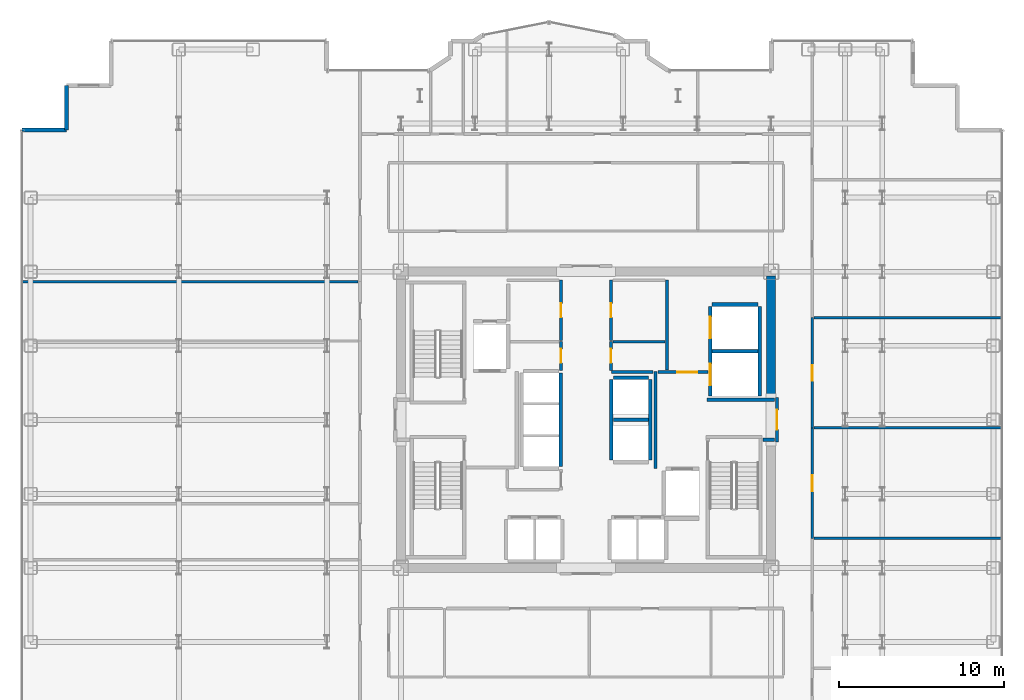
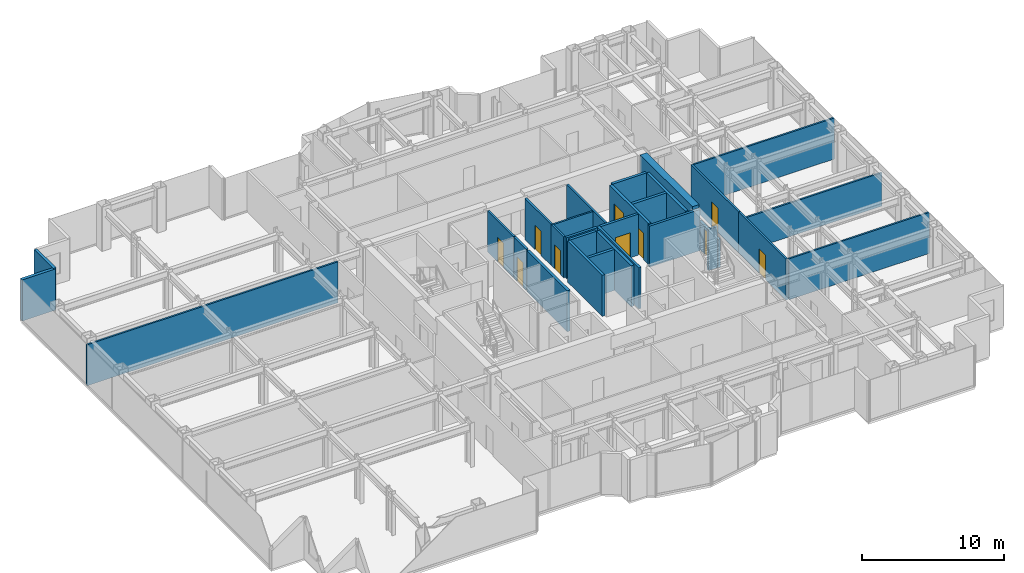
# One storey, part 20 of 23: 30 walls, 10 doors, 10 openings.
"""IFC4 building model written with IfcOpenShell, lengths in metres."""

import ifcopenshell
import ifcopenshell.guid

model = None  # the IFC model being written
_history = None  # IfcOwnerHistory: only IFC2X3 demands one
_inside = {}  # id of a spatial element -> (the spatial element, [elements in it])
_under = {}  # id of a project, library or spatial element -> (it, [spatial elements below it])
_declared = {}  # id of a project -> (the project, [libraries it declares])
_typed = {}  # id of a type object -> (the type object, [elements of that type])
_made_of = {}  # id of a material, layer set ... -> (it, [elements and type objects made of it])


def new_model(schema):
    """Start an empty IFC model of exactly this schema.

    Asked for "IFC4X3", IfcOpenShell would pick the latest addendum, in which some entities
    have other attributes; the version numbers below select the first issue.
    IFC2X3 requires an IfcOwnerHistory on every rooted entity: one is made here for all.
    """
    global model, _history
    if schema == "IFC4X3":
        model = ifcopenshell.file(schema_version=(4, 3, 0, 0))
    else:
        model = ifcopenshell.file(schema=schema)
    _inside.clear()
    _under.clear()
    _declared.clear()
    _typed.clear()
    _made_of.clear()
    _history = None
    if model.schema == "IFC2X3":
        org = make("IfcOrganization", Name="unknown")
        user = make(
            "IfcPersonAndOrganization",
            ThePerson=make("IfcPerson", FamilyName="unknown"),
            TheOrganization=org,
        )
        app = make(
            "IfcApplication",
            ApplicationDeveloper=org,
            Version="unknown",
            ApplicationFullName="unknown",
            ApplicationIdentifier="unknown",
        )
        _history = make(
            "IfcOwnerHistory",
            OwningUser=user,
            OwningApplication=app,
            ChangeAction="ADDED",
            CreationDate=0,
        )
    return model


def make(cls, **values):
    """One entity of the class cls with the attributes given. An attribute that is None is left unset."""
    return model.create_entity(
        cls, **{name: value for name, value in values.items() if value is not None}
    )


def rooted(cls, **values):
    """An entity with a GlobalId (a new one), such as an element, a storey or a relation."""
    return make(cls, GlobalId=ifcopenshell.guid.new(), OwnerHistory=_history, **values)


def si_unit(unit_type, name, prefix=None):
    """IfcSIUnit, for example si_unit("LENGTHUNIT", "METRE", prefix="MILLI")."""
    return make("IfcSIUnit", UnitType=unit_type, Prefix=prefix, Name=name)


def assignment(units):
    """IfcUnitAssignment: the units of a project."""
    return None if units is None else make("IfcUnitAssignment", Units=units)


def point(xyz):
    """IfcCartesianPoint."""
    return None if xyz is None else make("IfcCartesianPoint", Coordinates=xyz)


def direction(xyz):
    """IfcDirection."""
    return None if xyz is None else make("IfcDirection", DirectionRatios=xyz)


def frame(location, z_axis=None, x_axis=None):
    """IfcAxis2Placement3D, a coordinate frame: its origin and axes. An axis left out is left unset."""
    return make(
        "IfcAxis2Placement3D",
        Location=point(location),
        Axis=direction(z_axis),
        RefDirection=direction(x_axis),
    )


def frame_2d(location, x_axis=None):
    """IfcAxis2Placement2D, a coordinate frame in the plane: its origin and x axis."""
    return make(
        "IfcAxis2Placement2D", Location=point(location), RefDirection=direction(x_axis)
    )


def origin():
    """The frame at (0, 0, 0) with its axes left unset."""
    return frame((0.0, 0.0, 0.0))


def place(relative_to, where):
    """IfcLocalPlacement: puts the frame where relative to a parent placement (None: the world)."""
    return make(
        "IfcLocalPlacement", PlacementRelTo=relative_to, RelativePlacement=where
    )


def context(
    kind, dimensions, precision=None, world=None, true_north=None, identifier=None
):
    """IfcGeometricRepresentationContext, for example the 3D "Model" context."""
    return make(
        "IfcGeometricRepresentationContext",
        ContextIdentifier=identifier,
        ContextType=kind,
        CoordinateSpaceDimension=dimensions,
        Precision=precision,
        WorldCoordinateSystem=world,
        TrueNorth=true_north,
    )


def subcontext(parent, identifier, kind, view, scale=None):
    """IfcGeometricRepresentationSubContext, for example "Body" below "Model"."""
    return make(
        "IfcGeometricRepresentationSubContext",
        ContextIdentifier=identifier,
        ContextType=kind,
        ParentContext=parent,
        TargetScale=scale,
        TargetView=view,
    )


def project(units=None, contexts=None):
    """IfcProject with its units and contexts."""
    return rooted(
        "IfcProject",
        Name="project",
        RepresentationContexts=contexts,
        UnitsInContext=assignment(units),
    )


def spatial(cls, under=None, at=None, **own):
    """A site, building, storey or space (cls), placed at a placement, below another one or the project."""
    s = rooted(cls, ObjectPlacement=at, **own)
    if under is not None:
        _under.setdefault(under.id(), (under, []))[1].append(s)
    return s


def profile(cls, at=None, kind="AREA", **sizes):
    """A parametric profile (cls). Its sizes go by their IFC names, for example OverallWidth=200.0."""
    return make(cls, ProfileType=kind, Position=at, **sizes)


def rectangle(**sizes):
    """IfcRectangleProfileDef."""
    return profile("IfcRectangleProfileDef", **sizes)


def extrude(swept, where, along, depth):
    """IfcExtrudedAreaSolid: the profile swept, set in the frame where, extruded along a direction by depth."""
    return make(
        "IfcExtrudedAreaSolid",
        SweptArea=swept,
        Position=where,
        ExtrudedDirection=direction(along),
        Depth=depth,
    )


def shape(context_of_items, identifier, shape_type, items):
    """IfcShapeRepresentation: the items that make up one representation, for example the "Body"."""
    return make(
        "IfcShapeRepresentation",
        ContextOfItems=context_of_items,
        RepresentationIdentifier=identifier,
        RepresentationType=shape_type,
        Items=items,
    )


def source(mapping_origin, context_of_items, identifier, shape_type, items):
    """IfcRepresentationMap: a shape defined once, which mapped items show again and again."""
    return make(
        "IfcRepresentationMap",
        MappingOrigin=mapping_origin,
        MappedRepresentation=shape(context_of_items, identifier, shape_type, items),
    )


def transform(
    local_origin,
    x_axis=None,
    y_axis=None,
    z_axis=None,
    scale=None,
    scale2=None,
    scale3=None,
    uniform=True,
):
    """IfcCartesianTransformationOperator3D, or its non-uniform kind. x_axis, y_axis, z_axis: its Axis1, 2, 3."""
    if uniform:
        return make(
            "IfcCartesianTransformationOperator3D",
            Axis1=direction(x_axis),
            Axis2=direction(y_axis),
            LocalOrigin=point(local_origin),
            Scale=scale,
            Axis3=direction(z_axis),
        )
    return make(
        "IfcCartesianTransformationOperator3DnonUniform",
        Axis1=direction(x_axis),
        Axis2=direction(y_axis),
        LocalOrigin=point(local_origin),
        Scale=scale,
        Axis3=direction(z_axis),
        Scale2=scale2,
        Scale3=scale3,
    )


def mapped(mapping_source, mapping_target):
    """IfcMappedItem: shows the shape of a source again, moved by a transform."""
    return make(
        "IfcMappedItem", MappingSource=mapping_source, MappingTarget=mapping_target
    )


def material(Name=None, Category=None):
    """IfcMaterial."""
    return make("IfcMaterial", Name=Name, Category=Category)


def layer(
    of_material, thickness, ventilated=None, Name=None, Category=None, Priority=None
):
    """IfcMaterialLayer: one layer of a wall or slab, of a material (None: an air gap)."""
    return make(
        "IfcMaterialLayer",
        Material=of_material,
        LayerThickness=thickness,
        IsVentilated=ventilated,
        Name=Name,
        Category=Category,
        Priority=Priority,
    )


def layer_set(layers, Name=None):
    """IfcMaterialLayerSet."""
    return make("IfcMaterialLayerSet", MaterialLayers=layers, LayerSetName=Name)


def made_of(thing, what):
    """Note that an element or type object is made of a material, layer set ...; save() writes the relation."""
    if what is not None:
        _made_of.setdefault(what.id(), (what, []))[1].append(thing)
    return thing


def type_object(cls, material=None, **own):
    """A type object (cls), such as IfcWallType, which elements share."""
    return made_of(rooted(cls, **own), material)


def element(
    cls,
    number,
    at=None,
    inside=None,
    cuts=None,
    type_object=None,
    material=None,
    context=None,
    identifier="Body",
    shape_type=None,
    held_by="IfcProductDefinitionShape",
    body=None,
    shapes=None,
    **own,
):
    """One element of the class cls, such as IfcWall. Its Tag is "e" and its number.

    at: its placement. inside: the storey or other place that contains it. cuts: it is an
    opening in that element (IfcRelVoidsElement). A single representation is given by context,
    identifier, shape_type and body (its items); several are given by shapes. held_by: the class
    of the entity that holds the representations. save() writes the other relations.
    """
    e = rooted(cls, Tag="e%d" % number, ObjectPlacement=at, **own)
    if body is not None:
        shapes = [shape(context, identifier, shape_type, body)]
    if shapes is not None:
        e.Representation = make(held_by, Representations=shapes)
    if inside is not None:
        _inside.setdefault(inside.id(), (inside, []))[1].append(e)
    if cuts is not None:
        rooted(
            "IfcRelVoidsElement", RelatingBuildingElement=cuts, RelatedOpeningElement=e
        )
    if type_object is not None:
        _typed.setdefault(type_object.id(), (type_object, []))[1].append(e)
    return made_of(e, material)


def fill(opening, filler):
    """IfcRelFillsElement: the door or window that sits in an opening."""
    return rooted(
        "IfcRelFillsElement",
        RelatingOpeningElement=opening,
        RelatedBuildingElement=filler,
    )


def aggregate(whole, parts):
    """IfcRelAggregates: a whole, such as a stair, and the parts it consists of."""
    return rooted("IfcRelAggregates", RelatingObject=whole, RelatedObjects=parts)


def save(model, path):
    """Write the relations noted so far, then the file.

    IfcRelAggregates (storeys below a building ...), IfcRelContainedInSpatialStructure (elements
    in a storey), IfcRelDefinesByType, IfcRelAssociatesMaterial and IfcRelDeclares: one each for
    every whole, place, type object, material and project.
    """
    for whole, parts in _under.values():
        aggregate(whole, parts)
    for where, things in _inside.values():
        rooted(
            "IfcRelContainedInSpatialStructure",
            RelatedElements=things,
            RelatingStructure=where,
        )
    for kind, things in _typed.values():
        rooted("IfcRelDefinesByType", RelatedObjects=things, RelatingType=kind)
    for what, things in _made_of.values():
        rooted("IfcRelAssociatesMaterial", RelatedObjects=things, RelatingMaterial=what)
    for by, libraries in _declared.values():
        rooted("IfcRelDeclares", RelatingContext=by, RelatedDefinitions=libraries)
    model.write(path)


model = new_model("IFC4")

# Units and contexts
model_context = context("Model", 3, precision=1e-05, world=origin(), true_north=direction((0.0, 1.0)))
body_context = subcontext(model_context, "Body", "Model", "MODEL_VIEW")
ifc_project = project(units=[si_unit("LENGTHUNIT", "METRE"), si_unit("AREAUNIT", "SQUARE_METRE"), si_unit("VOLUMEUNIT", "CUBIC_METRE"), si_unit("PLANEANGLEUNIT", "RADIAN"), si_unit("MASSUNIT", "GRAM", prefix="KILO")], contexts=[model_context])

# Site, building, storey
site_placement = place(None, origin())
site = spatial("IfcSite", under=ifc_project, at=site_placement, CompositionType="ELEMENT")
building_placement = place(site_placement, origin())
building = spatial("IfcBuilding", under=site, at=building_placement, Name="Nefas-Gora Pilgrimage Tower", CompositionType="ELEMENT")
storey_placement = place(building_placement, frame((0.0, 0.0, 167.800048828125)))
storey = spatial("IfcBuildingStorey", under=building, at=storey_placement, Name="L41", CompositionType="ELEMENT", Elevation=167.800048828125)

# Walls
ifc_material_1 = material(Name="Concrete C60/75", Category="concrete")
ifc_layer_1 = layer(ifc_material_1, 0.550048828125)
ifc_layer_set_1 = layer_set([ifc_layer_1], Name="Concrete C60/75")
wall_type_1 = type_object("IfcWallType", Name="SW-CORE-550", PredefinedType="SHEAR", material=ifc_layer_set_1)
shared_shape_1 = source(origin(), body_context, "Body", "SweptSolid", [
    extrude(rectangle(XDim=7.375, YDim=0.550048828125, at=frame_2d((3.6875, 0.0))), origin(), (0.0, 0.0, 1.0), 3.800048828125),
])
wall_1_placement = place(storey_placement, frame((11.25, 1.35009765625, 0.0), z_axis=(0.0, 0.0, 1.0), x_axis=(0.0, 1.0, 0.0)))
element("IfcWall", 1, at=wall_1_placement, inside=storey, type_object=wall_type_1, Name="L41 Core Shear Wall E-North", PredefinedType="SHEAR", context=body_context, shape_type="MappedRepresentation", body=[
    mapped(shared_shape_1, transform((0.0, 0.0, 0.0), x_axis=(1.0, 0.0, 0.0), y_axis=(0.0, 1.0, 0.0), z_axis=(0.0, 0.0, 1.0), scale=1.0)),
])
ifc_material_2 = material(Name="Precast concrete C45/55", Category="concrete")
ifc_layer_2 = layer(ifc_material_2, 0.239990234375)
ifc_layer_set_2 = layer_set([ifc_layer_2], Name="Precast concrete C45/55")
wall_type_2 = type_object("IfcWallType", Name="EW-SERR-240", PredefinedType="SHEAR", material=ifc_layer_set_2)
shared_shape_2 = source(origin(), body_context, "Body", "SweptSolid", [
    extrude(rectangle(XDim=2.699951171875, YDim=0.239990234375, at=frame_2d((1.35009765625, 0.0))), origin(), (0.0, 0.0, 1.0), 3.550048828125),
])
for number, where, z_axis, x_axis, name in (
    (2, (-31.570068359375, 20.320068359375, 0.0), (0.0, 0.0, 1.0), (0.0, -1.0, 0.0), "L41 Serrated Corner Shear Pier Wall 22"),
    (3, (-31.570068359375, 17.6201171875, 0.0), (0.0, 0.0, 1.0), (-1.0, 0.0, 0.0), "L41 Serrated Corner Shear Pier Wall 23"),
):
    element("IfcWall", number, at=place(storey_placement, frame(where, z_axis=z_axis, x_axis=x_axis)), inside=storey, type_object=wall_type_2, Name=name, PredefinedType="SHEAR", context=body_context, shape_type="MappedRepresentation", body=[
        mapped(shared_shape_2, transform((0.0, 0.0, 0.0), x_axis=(1.0, 0.0, 0.0), y_axis=(0.0, 1.0, 0.0), z_axis=(0.0, 0.0, 1.0), scale=1.0)),
    ])

# Wall, openings, doors
ifc_material_3 = material(Name="Concrete C40/50", Category="concrete")
ifc_layer_3 = layer(ifc_material_3, 0.219970703125)
ifc_layer_set_3 = layer_set([ifc_layer_3], Name="Concrete C40/50")
wall_type_3 = type_object("IfcWallType", Name="IW-SHAFT-220", PredefinedType="SOLIDWALL", material=ifc_layer_set_3)
shared_shape_3 = source(origin(), body_context, "Body", "SweptSolid", [
    extrude(rectangle(XDim=5.449951171875, YDim=0.219970703125, at=frame_2d((2.72509765625, 0.0))), origin(), (0.0, 0.0, 1.0), 3.534912109375),
])
wall_2_placement = place(storey_placement, frame((7.5400390625, 6.89990234375, 0.0), z_axis=(0.0, 0.0, 1.0), x_axis=(0.0, -1.0, 0.0)))
wall_2 = element("IfcWall", 4, at=wall_2_placement, inside=storey, type_object=wall_type_3, Name="L41 Hoistway Wall SL-01-02-W", PredefinedType="SOLIDWALL", context=body_context, shape_type="MappedRepresentation", body=[
    mapped(shared_shape_3, transform((0.0, 0.0, 0.0), x_axis=(1.0, 0.0, 0.0), y_axis=(0.0, 1.0, 0.0), z_axis=(0.0, 0.0, 1.0), scale=1.0)),
])
opening_1_placement = place(wall_2_placement, frame((3.5, 0.0, 0.0)))
opening_1 = element("IfcOpeningElement", 5, at=opening_1_placement, cuts=wall_2, Name="Opening LD-SV", PredefinedType="OPENING", context=body_context, shape_type="SweptSolid", body=[
    extrude(rectangle(XDim=1.300048828125, YDim=2.300048828125, at=frame_2d((0.64990234375, 1.14990234375))), frame((0.0, 0.119873046875, 0.0), z_axis=(0.0, -1.0, 0.0), x_axis=(1.0, 0.0, 0.0)), (0.0, 0.0, 1.0), 0.239990234375),
])
opening_2_placement = place(wall_2_placement, frame((0.64990234375, 0.0, 0.0)))
opening_2 = element("IfcOpeningElement", 6, at=opening_2_placement, cuts=wall_2, Name="Opening LD-SV", PredefinedType="OPENING", context=body_context, shape_type="SweptSolid", body=[
    extrude(rectangle(XDim=1.300048828125, YDim=2.300048828125, at=frame_2d((0.64990234375, 1.14990234375))), frame((0.0, 0.119873046875, 0.0), z_axis=(0.0, -1.0, 0.0), x_axis=(1.0, 0.0, 0.0)), (0.0, 0.0, 1.0), 0.239990234375),
])
ifc_material_4 = material(Name="Heavy goods sliding lift landing door")
door_type_1 = type_object("IfcDoorType", Name="DR-LIFT-SERV-1300", OperationType="SLIDING_TO_RIGHT", PredefinedType="DOOR", material=ifc_material_4)
shared_shape_4 = source(origin(), body_context, "Body", "SweptSolid", [
    extrude(rectangle(XDim=1.300048828125, YDim=2.300048828125, at=frame_2d((0.64990234375, 1.14990234375))), frame((0.0, 0.02490234375, 0.0), z_axis=(0.0, -1.0, 0.0), x_axis=(1.0, 0.0, 0.0)), (0.0, 0.0, 1.0), 0.050048828125),
])
door_1_placement = place(opening_1_placement, origin())
door_1 = element("IfcDoor", 7, at=door_1_placement, inside=storey, type_object=door_type_1, Name="L41 Sliding Lift Landing Door SL-01", OperationType="SLIDING_TO_RIGHT", OverallHeight=2.300048828125, OverallWidth=1.300048828125, PredefinedType="DOOR", context=body_context, shape_type="MappedRepresentation", body=[
    mapped(shared_shape_4, transform((0.0, 0.0, 0.0), x_axis=(1.0, 0.0, 0.0), y_axis=(0.0, 1.0, 0.0), z_axis=(0.0, 0.0, 1.0), scale=1.0)),
])
fill(opening_1, door_1)
door_2_placement = place(opening_2_placement, origin())
door_2 = element("IfcDoor", 8, at=door_2_placement, inside=storey, type_object=door_type_1, Name="L41 Sliding Lift Landing Door SL-02", OperationType="SLIDING_TO_RIGHT", OverallHeight=2.300048828125, OverallWidth=1.300048828125, PredefinedType="DOOR", context=body_context, shape_type="MappedRepresentation", body=[
    mapped(shared_shape_4, transform((0.0, 0.0, 0.0), x_axis=(1.0, 0.0, 0.0), y_axis=(0.0, 1.0, 0.0), z_axis=(0.0, 0.0, 1.0), scale=1.0)),
])
fill(opening_2, door_2)

# Walls
wall_3_placement = place(storey_placement, frame((10.56005859375, 1.449951171875, 0.0), z_axis=(0.0, 0.0, 1.0), x_axis=(0.0, 1.0, 0.0)))
element("IfcWall", 9, at=wall_3_placement, inside=storey, type_object=wall_type_3, Name="L41 Hoistway Wall SL-01-02-E", PredefinedType="SOLIDWALL", context=body_context, shape_type="MappedRepresentation", body=[
    mapped(shared_shape_3, transform((0.0, 0.0, 0.0), x_axis=(1.0, 0.0, 0.0), y_axis=(0.0, 1.0, 0.0), z_axis=(0.0, 0.0, 1.0), scale=1.0)),
])
shared_shape_5 = source(origin(), body_context, "Body", "SweptSolid", [
    extrude(rectangle(XDim=2.780029296875, YDim=0.219970703125, at=frame_2d((1.39013671875, 0.0))), origin(), (0.0, 0.0, 1.0), 3.534912109375),
])
for number, where, z_axis, x_axis, name in (
    (10, (7.659912109375, 4.175048828125, 0.0), (0.0, 0.0, 1.0), (1.0, 0.0, 0.0), "L41 Hoistway Wall SL-01-02-DIV"),
    (11, (10.43994140625, 7.010009765625, 0.0), (0.0, 0.0, 1.0), (-1.0, 0.0, 0.0), "L41 Hoistway Wall SL-02-N"),
):
    element("IfcWall", number, at=place(storey_placement, frame(where, z_axis=z_axis, x_axis=x_axis)), inside=storey, type_object=wall_type_3, Name=name, PredefinedType="SOLIDWALL", context=body_context, shape_type="MappedRepresentation", body=[
        mapped(shared_shape_5, transform((0.0, 0.0, 0.0), x_axis=(1.0, 0.0, 0.0), y_axis=(0.0, 1.0, 0.0), z_axis=(0.0, 0.0, 1.0), scale=1.0)),
    ])
shared_shape_6 = source(origin(), body_context, "Body", "SweptSolid", [
    extrude(rectangle(XDim=5.7001953125, YDim=0.219970703125, at=frame_2d((2.85009765625, 0.0))), origin(), (0.0, 0.0, 1.0), 3.534912109375),
])
wall_4_placement = place(storey_placement, frame((-1.5400390625, -2.85009765625, 0.0), z_axis=(0.0, 0.0, 1.0), x_axis=(0.0, 1.0, 0.0)))
element("IfcWall", 12, at=wall_4_placement, inside=storey, type_object=wall_type_3, Name="L41 Hoistway Wall PL3-01-03-E", PredefinedType="SOLIDWALL", context=body_context, shape_type="MappedRepresentation", body=[
    mapped(shared_shape_6, transform((0.0, 0.0, 0.0), x_axis=(1.0, 0.0, 0.0), y_axis=(0.0, 1.0, 0.0), z_axis=(0.0, 0.0, 1.0), scale=1.0)),
])
shared_shape_7 = source(origin(), body_context, "Body", "SweptSolid", [
    extrude(rectangle(XDim=2.130126953125, YDim=0.219970703125, at=frame_2d((1.06494140625, 0.0))), origin(), (0.0, 0.0, 1.0), 3.534912109375),
])
for number, where, z_axis, x_axis, name in (
    (13, (1.659912109375, 0.0, 0.0), (0.0, 0.0, 1.0), (1.0, 0.0, 0.0), "L41 Hoistway Wall OBS-01-02-DIV"),
    (14, (3.7900390625, 2.56005859375, 0.0), (0.0, 0.0, 1.0), (-1.0, 0.0, 0.0), "L41 Hoistway Wall OBS-02-N"),
):
    element("IfcWall", number, at=place(storey_placement, frame(where, z_axis=z_axis, x_axis=x_axis)), inside=storey, type_object=wall_type_3, Name=name, PredefinedType="SOLIDWALL", context=body_context, shape_type="MappedRepresentation", body=[
        mapped(shared_shape_7, transform((0.0, 0.0, 0.0), x_axis=(1.0, 0.0, 0.0), y_axis=(0.0, 1.0, 0.0), z_axis=(0.0, 0.0, 1.0), scale=1.0)),
    ])
shared_shape_8 = source(origin(), body_context, "Body", "SweptSolid", [
    extrude(rectangle(XDim=4.89990234375, YDim=0.219970703125, at=frame_2d((2.449951171875, 0.0))), origin(), (0.0, 0.0, 1.0), 3.534912109375),
])
for number, where, z_axis, x_axis, name in (
    (15, (1.5400390625, 2.449951171875, 0.0), (0.0, 0.0, 1.0), (0.0, -1.0, 0.0), "L41 Hoistway Wall OBS-01-02-W"),
    (16, (3.909912109375, -2.449951171875, 0.0), (0.0, 0.0, 1.0), (0.0, 1.0, 0.0), "L41 Hoistway Wall OBS-01-02-E"),
):
    element("IfcWall", number, at=place(storey_placement, frame(where, z_axis=z_axis, x_axis=x_axis)), inside=storey, type_object=wall_type_3, Name=name, PredefinedType="SOLIDWALL", context=body_context, shape_type="MappedRepresentation", body=[
        mapped(shared_shape_8, transform((0.0, 0.0, 0.0), x_axis=(1.0, 0.0, 0.0), y_axis=(0.0, 1.0, 0.0), z_axis=(0.0, 0.0, 1.0), scale=1.0)),
    ])

# Wall, opening, door
ifc_material_5 = material(Name="Gypsum fire-rated shaftwall")
ifc_layer_4 = layer(ifc_material_5, 0.199951171875)
ifc_layer_set_4 = layer_set([ifc_layer_4], Name="Gypsum fire-rated shaftwall")
wall_type_4 = type_object("IfcWallType", Name="IW-FFLOB-200", PredefinedType="PARTITIONING", material=ifc_layer_set_4)
shared_shape_9 = source(origin(), body_context, "Body", "SweptSolid", [
    extrude(rectangle(XDim=2.7001953125, YDim=0.199951171875, at=frame_2d((1.35009765625, 0.0))), origin(), (0.0, 0.0, 1.0), 2.425048828125),
])
wall_5_placement = place(storey_placement, frame((11.60009765625, -1.35009765625, 0.0), z_axis=(0.0, 0.0, 1.0), x_axis=(0.0, 1.0, 0.0)))
wall_5 = element("IfcWall", 17, at=wall_5_placement, inside=storey, type_object=wall_type_4, Name="L41 FF Lobby East Portal Wall 9", PredefinedType="PARTITIONING", context=body_context, shape_type="MappedRepresentation", body=[
    mapped(shared_shape_9, transform((0.0, 0.0, 0.0), x_axis=(1.0, 0.0, 0.0), y_axis=(0.0, 1.0, 0.0), z_axis=(0.0, 0.0, 1.0), scale=1.0)),
])
opening_3_placement = place(wall_5_placement, frame((0.75, 0.0, 0.0)))
opening_3 = element("IfcOpeningElement", 18, at=opening_3_placement, cuts=wall_5, Name="Opening ID-FF1", PredefinedType="OPENING", context=body_context, shape_type="SweptSolid", body=[
    extrude(rectangle(XDim=1.199951171875, YDim=2.14990234375, at=frame_2d((0.60009765625, 1.074951171875))), frame((0.0, 0.10986328125, 0.0), z_axis=(0.0, -1.0, 0.0), x_axis=(1.0, 0.0, 0.0)), (0.0, 0.0, 1.0), 0.219970703125),
])
ifc_material_6 = material(Name="Smoke-sealed steel firefighting lobby door", Category="steel")
door_type_2 = type_object("IfcDoorType", Name="DR-INT-FFLOB-1200", OperationType="NOTDEFINED", PredefinedType="DOOR", material=ifc_material_6)
shared_shape_10 = source(origin(), body_context, "Body", "SweptSolid", [
    extrude(rectangle(XDim=1.199951171875, YDim=2.14990234375, at=frame_2d((0.60009765625, 1.074951171875))), frame((0.0, 0.02490234375, 0.0), z_axis=(0.0, -1.0, 0.0), x_axis=(1.0, 0.0, 0.0)), (0.0, 0.0, 1.0), 0.050048828125),
])
door_3_placement = place(opening_3_placement, origin())
door_3 = element("IfcDoor", 19, at=door_3_placement, inside=storey, type_object=door_type_2, Name="L41 FF Lobby East Portal Door 3", OperationType="SINGLE_SWING_RIGHT", OverallHeight=2.14990234375, OverallWidth=1.199951171875, PredefinedType="DOOR", context=body_context, shape_type="MappedRepresentation", body=[
    mapped(shared_shape_10, transform((0.0, 0.0, 0.0), x_axis=(1.0, 0.0, 0.0), y_axis=(0.0, 1.0, 0.0), z_axis=(0.0, 0.0, 1.0), scale=1.0)),
])
fill(opening_3, door_3)

# Walls
shared_shape_11 = source(origin(), body_context, "Body", "SweptSolid", [
    extrude(rectangle(XDim=5.89990234375, YDim=0.199951171875, at=frame_2d((2.949951171875, 0.0))), origin(), (0.0, 0.0, 1.0), 3.534912109375),
])
wall_6_placement = place(storey_placement, frame((4.219970703125, -2.949951171875, 0.0), z_axis=(0.0, 0.0, 1.0), x_axis=(0.0, 1.0, 0.0)))
element("IfcWall", 20, at=wall_6_placement, inside=storey, type_object=wall_type_4, Name="L41 FF Lobby East Inner Wall Wall 10", PredefinedType="PARTITIONING", context=body_context, shape_type="MappedRepresentation", body=[
    mapped(shared_shape_11, transform((0.0, 0.0, 0.0), x_axis=(1.0, 0.0, 0.0), y_axis=(0.0, 1.0, 0.0), z_axis=(0.0, 0.0, 1.0), scale=1.0)),
])
shared_shape_12 = source(origin(), body_context, "Body", "SweptSolid", [
    extrude(rectangle(XDim=0.719970703125, YDim=0.199951171875, at=frame_2d((0.35986328125, 0.0))), origin(), (0.0, 0.0, 1.0), 3.534912109375),
])
wall_7_placement = place(storey_placement, frame((10.739990234375, -1.219970703125, 0.0), z_axis=(0.0, 0.0, 1.0), x_axis=(1.0, 0.0, 0.0)))
element("IfcWall", 21, at=wall_7_placement, inside=storey, type_object=wall_type_4, Name="L41 FF Lobby East Throat S Wall 14", PredefinedType="PARTITIONING", context=body_context, shape_type="MappedRepresentation", body=[
    mapped(shared_shape_12, transform((0.0, 0.0, 0.0), x_axis=(1.0, 0.0, 0.0), y_axis=(0.0, 1.0, 0.0), z_axis=(0.0, 0.0, 1.0), scale=1.0)),
])

# Wall, opening, door
shared_shape_13 = source(origin(), body_context, "Body", "SweptSolid", [
    extrude(rectangle(XDim=3.039794921875, YDim=0.199951171875, at=frame_2d((1.52001953125, 0.0))), origin(), (0.0, 0.0, 1.0), 3.534912109375),
])
wall_8_placement = place(storey_placement, frame((4.360107421875, 2.89990234375, 0.0), z_axis=(0.0, 0.0, 1.0), x_axis=(1.0, 0.0, 0.0)))
wall_8 = element("IfcWall", 22, at=wall_8_placement, inside=storey, type_object=wall_type_4, Name="L41 FF Lobby East North Wall Wall 12", PredefinedType="PARTITIONING", context=body_context, shape_type="MappedRepresentation", body=[
    mapped(shared_shape_13, transform((0.0, 0.0, 0.0), x_axis=(1.0, 0.0, 0.0), y_axis=(0.0, 1.0, 0.0), z_axis=(0.0, 0.0, 1.0), scale=1.0)),
])
opening_4_placement = place(wall_8_placement, frame((1.18994140625, 0.0, 0.0)))
opening_4 = element("IfcOpeningElement", 23, at=opening_4_placement, cuts=wall_8, Name="Opening ID-PL1", PredefinedType="OPENING", context=body_context, shape_type="SweptSolid", body=[
    extrude(rectangle(XDim=1.199951171875, YDim=2.14990234375, at=frame_2d((0.60009765625, 1.074951171875))), frame((0.0, 0.10986328125, 0.0), z_axis=(0.0, -1.0, 0.0), x_axis=(1.0, 0.0, 0.0)), (0.0, 0.0, 1.0), 0.219970703125),
])
ifc_material_7 = material(Name="Heavy-duty steel plant room fire door", Category="steel")
door_type_3 = type_object("IfcDoorType", Name="DR-INT-PLANT-1200", OperationType="NOTDEFINED", PredefinedType="DOOR", material=ifc_material_7)
door_4_placement = place(opening_4_placement, origin())
door_4 = element("IfcDoor", 24, at=door_4_placement, inside=storey, type_object=door_type_3, Name="L41 Service Lift Lobby Door Door 4", OperationType="SINGLE_SWING_LEFT", OverallHeight=2.14990234375, OverallWidth=1.199951171875, PredefinedType="DOOR", context=body_context, shape_type="MappedRepresentation", body=[
    mapped(shared_shape_10, transform((0.0, 0.0, 0.0), x_axis=(1.0, 0.0, 0.0), y_axis=(0.0, 1.0, 0.0), z_axis=(0.0, 0.0, 1.0), scale=1.0)),
])
fill(opening_4, door_4)

# Walls
shared_shape_14 = source(origin(), body_context, "Body", "SweptSolid", [
    extrude(rectangle(XDim=4.10986328125, YDim=0.199951171875, at=frame_2d((2.054931640625, 0.0))), origin(), (0.0, 0.0, 1.0), 3.534912109375),
])
wall_9_placement = place(storey_placement, frame((7.35009765625, 1.219970703125, 0.0), z_axis=(0.0, 0.0, 1.0), x_axis=(1.0, 0.0, 0.0)))
element("IfcWall", 25, at=wall_9_placement, inside=storey, type_object=wall_type_4, Name="L41 FF Lobby East Throat N Wall 13", PredefinedType="PARTITIONING", context=body_context, shape_type="MappedRepresentation", body=[
    mapped(shared_shape_14, transform((0.0, 0.0, 0.0), x_axis=(1.0, 0.0, 0.0), y_axis=(0.0, 1.0, 0.0), z_axis=(0.0, 0.0, 1.0), scale=1.0)),
])
ifc_material_8 = material(Name="Gypsum twin-stud partition")
ifc_layer_5 = layer(ifc_material_8, 0.139892578125)
ifc_layer_set_5 = layer_set([ifc_layer_5], Name="Gypsum twin-stud partition")
wall_type_5 = type_object("IfcWallType", Name="IW-UNIT-140", PredefinedType="PARTITIONING", material=ifc_layer_set_5)
shared_shape_15 = source(origin(), body_context, "Body", "SweptSolid", [
    extrude(rectangle(XDim=20.429931640625, YDim=0.139892578125, at=frame_2d((10.21484375, 0.0))), origin(), (0.0, 0.0, 1.0), 3.534912109375),
])
wall_10_placement = place(storey_placement, frame((-34.2900390625, 8.39501953125, 0.0), z_axis=(0.0, 0.0, 1.0), x_axis=(1.0, 0.0, 0.0)))
element("IfcWall", 26, at=wall_10_placement, inside=storey, type_object=wall_type_5, Name="L41 Pilgrim Fellowship Seminar Room Partition Wall 39", PredefinedType="PARTITIONING", context=body_context, shape_type="MappedRepresentation", body=[
    mapped(shared_shape_15, transform((0.0, 0.0, 0.0), x_axis=(1.0, 0.0, 0.0), y_axis=(0.0, 1.0, 0.0), z_axis=(0.0, 0.0, 1.0), scale=1.0)),
])
shared_shape_16 = source(origin(), body_context, "Body", "SweptSolid", [
    extrude(rectangle(XDim=3.150146484375, YDim=0.139892578125, at=frame_2d((1.5751953125, 0.0))), origin(), (0.0, 0.0, 1.0), 3.534912109375),
])
wall_11_placement = place(storey_placement, frame((1.639892578125, 4.75, 0.0), z_axis=(0.0, 0.0, 1.0), x_axis=(1.0, 0.0, 0.0)))
element("IfcWall", 27, at=wall_11_placement, inside=storey, type_object=wall_type_5, Name="L41 Clean Blanket and Robe Store Partition Wall 23", PredefinedType="PARTITIONING", context=body_context, shape_type="MappedRepresentation", body=[
    mapped(shared_shape_16, transform((0.0, 0.0, 0.0), x_axis=(1.0, 0.0, 0.0), y_axis=(0.0, 1.0, 0.0), z_axis=(0.0, 0.0, 1.0), scale=1.0)),
])
shared_shape_17 = source(origin(), body_context, "Body", "SweptSolid", [
    extrude(rectangle(XDim=11.429931640625, YDim=0.139892578125, at=frame_2d((5.71484375, 0.0))), origin(), (0.0, 0.0, 1.0), 3.534912109375),
])
for number, where, z_axis, x_axis, name in (
    (28, (13.860107421875, -7.205078125, 0.0), (0.0, 0.0, 1.0), (1.0, 0.0, 0.0), "L41 Pilgrim Contemplative Lounge Partition Wall 44"),
    (29, (13.860107421875, 6.195068359375, 0.0), (0.0, 0.0, 1.0), (1.0, 0.0, 0.0), "L41 Pilgrim Contemplative Lounge Partition Wall 46"),
):
    element("IfcWall", number, at=place(storey_placement, frame(where, z_axis=z_axis, x_axis=x_axis)), inside=storey, type_object=wall_type_5, Name=name, PredefinedType="PARTITIONING", context=body_context, shape_type="MappedRepresentation", body=[
        mapped(shared_shape_17, transform((0.0, 0.0, 0.0), x_axis=(1.0, 0.0, 0.0), y_axis=(0.0, 1.0, 0.0), z_axis=(0.0, 0.0, 1.0), scale=1.0)),
    ])
shared_shape_18 = source(origin(), body_context, "Body", "SweptSolid", [
    extrude(rectangle(XDim=2.52001953125, YDim=0.199951171875, at=frame_2d((1.260009765625, 0.0))), origin(), (0.0, 0.0, 1.0), 3.534912109375),
])
wall_12_placement = place(storey_placement, frame((1.56005859375, 2.89990234375, 0.0), z_axis=(0.0, 0.0, 1.0), x_axis=(1.0, 0.0, 0.0)))
element("IfcWall", 30, at=wall_12_placement, inside=storey, type_object=wall_type_4, Name="L41 FF Lobby East North Wall Wall 11", PredefinedType="PARTITIONING", context=body_context, shape_type="MappedRepresentation", body=[
    mapped(shared_shape_18, transform((0.0, 0.0, 0.0), x_axis=(1.0, 0.0, 0.0), y_axis=(0.0, 1.0, 0.0), z_axis=(0.0, 0.0, 1.0), scale=1.0)),
])
ifc_material_9 = material(Name="Gypsum acoustic stud partition")
ifc_layer_6 = layer(ifc_material_9, 0.159912109375)
ifc_layer_set_6 = layer_set([ifc_layer_6], Name="Gypsum acoustic stud partition")
wall_type_6 = type_object("IfcWallType", Name="IW-CORR-160", PredefinedType="PARTITIONING", material=ifc_layer_set_6)
shared_shape_19 = source(origin(), body_context, "Body", "SweptSolid", [
    extrude(rectangle(XDim=5.449951171875, YDim=0.159912109375, at=frame_2d((2.72509765625, 0.0))), origin(), (0.0, 0.0, 1.0), 3.534912109375),
])
wall_13_placement = place(storey_placement, frame((4.919921875, 3.0400390625, 0.0), z_axis=(0.0, 0.0, 1.0), x_axis=(0.0, 1.0, 0.0)))
element("IfcWall", 31, at=wall_13_placement, inside=storey, type_object=wall_type_6, Name="L41 Service Lift Lobby West Wall Wall 17", PredefinedType="PARTITIONING", context=body_context, shape_type="MappedRepresentation", body=[
    mapped(shared_shape_19, transform((0.0, 0.0, 0.0), x_axis=(1.0, 0.0, 0.0), y_axis=(0.0, 1.0, 0.0), z_axis=(0.0, 0.0, 1.0), scale=1.0)),
])

# Wall, opening, door
shared_shape_20 = source(origin(), body_context, "Body", "SweptSolid", [
    extrude(rectangle(XDim=1.75, YDim=0.159912109375, at=frame_2d((0.875, 0.0))), origin(), (0.0, 0.0, 1.0), 3.534912109375),
])
wall_14_placement = place(storey_placement, frame((-1.52001953125, 3.010009765625, 0.0), z_axis=(0.0, 0.0, 1.0), x_axis=(0.0, 1.0, 0.0)))
wall_14 = element("IfcWall", 32, at=wall_14_placement, inside=storey, type_object=wall_type_6, Name="L41 Housekeeping and Linen Store Wall 18", PredefinedType="PARTITIONING", context=body_context, shape_type="MappedRepresentation", body=[
    mapped(shared_shape_20, transform((0.0, 0.0, 0.0), x_axis=(1.0, 0.0, 0.0), y_axis=(0.0, 1.0, 0.0), z_axis=(0.0, 0.0, 1.0), scale=1.0)),
])
opening_5_placement = place(wall_14_placement, frame((0.449951171875, 0.0, 0.0)))
opening_5 = element("IfcOpeningElement", 33, at=opening_5_placement, cuts=wall_14, Name="Opening ID-BT1", PredefinedType="OPENING", context=body_context, shape_type="SweptSolid", body=[
    extrude(rectangle(XDim=0.85009765625, YDim=2.10009765625, at=frame_2d((0.425048828125, 1.050048828125))), frame((0.0, 0.08984375, 0.0), z_axis=(0.0, -1.0, 0.0), x_axis=(1.0, 0.0, 0.0)), (0.0, 0.0, 1.0), 0.179931640625),
])
ifc_material_10 = material(Name="Moisture-resistant fire-rated timber door", Category="wood")
door_type_4 = type_object("IfcDoorType", Name="DR-INT-BATH-850", OperationType="NOTDEFINED", PredefinedType="DOOR", material=ifc_material_10)
shared_shape_21 = source(origin(), body_context, "Body", "SweptSolid", [
    extrude(rectangle(XDim=0.85009765625, YDim=2.10009765625, at=frame_2d((0.425048828125, 1.050048828125))), frame((0.0, 0.02490234375, 0.0), z_axis=(0.0, -1.0, 0.0), x_axis=(1.0, 0.0, 0.0)), (0.0, 0.0, 1.0), 0.050048828125),
])
door_5_placement = place(opening_5_placement, origin())
door_5 = element("IfcDoor", 34, at=door_5_placement, inside=storey, type_object=door_type_4, Name="L41 Housekeeping and Linen Store Door 7", OperationType="SINGLE_SWING_RIGHT", OverallHeight=2.10009765625, OverallWidth=0.85009765625, PredefinedType="DOOR", context=body_context, shape_type="MappedRepresentation", body=[
    mapped(shared_shape_21, transform((0.0, 0.0, 0.0), x_axis=(1.0, 0.0, 0.0), y_axis=(0.0, 1.0, 0.0), z_axis=(0.0, 0.0, 1.0), scale=1.0)),
])
fill(opening_5, door_5)

wall_15_placement = place(storey_placement, frame((1.52001953125, 3.010009765625, 0.0), z_axis=(0.0, 0.0, 1.0), x_axis=(0.0, 1.0, 0.0)))
wall_15 = element("IfcWall", 35, at=wall_15_placement, inside=storey, type_object=wall_type_6, Name="L41 Clean Blanket and Robe Store Wall 22", PredefinedType="PARTITIONING", context=body_context, shape_type="MappedRepresentation", body=[
    mapped(shared_shape_20, transform((0.0, 0.0, 0.0), x_axis=(1.0, 0.0, 0.0), y_axis=(0.0, 1.0, 0.0), z_axis=(0.0, 0.0, 1.0), scale=1.0)),
])
opening_6_placement = place(wall_15_placement, frame((0.449951171875, 0.0, 0.0)))
opening_6 = element("IfcOpeningElement", 36, at=opening_6_placement, cuts=wall_15, Name="Opening ID-BT1", PredefinedType="OPENING", context=body_context, shape_type="SweptSolid", body=[
    extrude(rectangle(XDim=0.85009765625, YDim=2.10009765625, at=frame_2d((0.425048828125, 1.050048828125))), frame((0.0, 0.08984375, 0.0), z_axis=(0.0, -1.0, 0.0), x_axis=(1.0, 0.0, 0.0)), (0.0, 0.0, 1.0), 0.179931640625),
])
door_6_placement = place(opening_6_placement, origin())
door_6 = element("IfcDoor", 37, at=door_6_placement, inside=storey, type_object=door_type_4, Name="L41 Clean Blanket and Robe Store Door 9", OperationType="SINGLE_SWING_RIGHT", OverallHeight=2.10009765625, OverallWidth=0.85009765625, PredefinedType="DOOR", context=body_context, shape_type="MappedRepresentation", body=[
    mapped(shared_shape_21, transform((0.0, 0.0, 0.0), x_axis=(1.0, 0.0, 0.0), y_axis=(0.0, 1.0, 0.0), z_axis=(0.0, 0.0, 1.0), scale=1.0)),
])
fill(opening_6, door_6)

shared_shape_22 = source(origin(), body_context, "Body", "SweptSolid", [
    extrude(rectangle(XDim=3.679931640625, YDim=0.159912109375, at=frame_2d((1.83984375, 0.0))), origin(), (0.0, 0.0, 1.0), 3.534912109375),
])
wall_16_placement = place(storey_placement, frame((-1.52001953125, 4.81005859375, 0.0), z_axis=(0.0, 0.0, 1.0), x_axis=(0.0, 1.0, 0.0)))
wall_16 = element("IfcWall", 38, at=wall_16_placement, inside=storey, type_object=wall_type_6, Name="L41 Archival Supply Store Wall 20", PredefinedType="PARTITIONING", context=body_context, shape_type="MappedRepresentation", body=[
    mapped(shared_shape_22, transform((0.0, 0.0, 0.0), x_axis=(1.0, 0.0, 0.0), y_axis=(0.0, 1.0, 0.0), z_axis=(0.0, 0.0, 1.0), scale=1.0)),
])
opening_7_placement = place(wall_16_placement, frame((1.4150390625, 0.0, 0.0)))
opening_7 = element("IfcOpeningElement", 39, at=opening_7_placement, cuts=wall_16, Name="Opening ID-BT1", PredefinedType="OPENING", context=body_context, shape_type="SweptSolid", body=[
    extrude(rectangle(XDim=0.85009765625, YDim=2.10009765625, at=frame_2d((0.425048828125, 1.050048828125))), frame((0.0, 0.08984375, 0.0), z_axis=(0.0, -1.0, 0.0), x_axis=(1.0, 0.0, 0.0)), (0.0, 0.0, 1.0), 0.179931640625),
])
door_7_placement = place(opening_7_placement, origin())
door_7 = element("IfcDoor", 40, at=door_7_placement, inside=storey, type_object=door_type_4, Name="L41 Archival Supply Store Door 8", OperationType="SINGLE_SWING_LEFT", OverallHeight=2.10009765625, OverallWidth=0.85009765625, PredefinedType="DOOR", context=body_context, shape_type="MappedRepresentation", body=[
    mapped(shared_shape_21, transform((0.0, 0.0, 0.0), x_axis=(1.0, 0.0, 0.0), y_axis=(0.0, 1.0, 0.0), z_axis=(0.0, 0.0, 1.0), scale=1.0)),
])
fill(opening_7, door_7)

wall_17_placement = place(storey_placement, frame((1.52001953125, 4.81005859375, 0.0), z_axis=(0.0, 0.0, 1.0), x_axis=(0.0, 1.0, 0.0)))
wall_17 = element("IfcWall", 41, at=wall_17_placement, inside=storey, type_object=wall_type_6, Name="L41 Amenity Supply Store Wall 24", PredefinedType="PARTITIONING", context=body_context, shape_type="MappedRepresentation", body=[
    mapped(shared_shape_22, transform((0.0, 0.0, 0.0), x_axis=(1.0, 0.0, 0.0), y_axis=(0.0, 1.0, 0.0), z_axis=(0.0, 0.0, 1.0), scale=1.0)),
])
opening_8_placement = place(wall_17_placement, frame((1.4150390625, 0.0, 0.0)))
opening_8 = element("IfcOpeningElement", 42, at=opening_8_placement, cuts=wall_17, Name="Opening ID-BT1", PredefinedType="OPENING", context=body_context, shape_type="SweptSolid", body=[
    extrude(rectangle(XDim=0.85009765625, YDim=2.10009765625, at=frame_2d((0.425048828125, 1.050048828125))), frame((0.0, 0.08984375, 0.0), z_axis=(0.0, -1.0, 0.0), x_axis=(1.0, 0.0, 0.0)), (0.0, 0.0, 1.0), 0.179931640625),
])
door_8_placement = place(opening_8_placement, origin())
door_8 = element("IfcDoor", 43, at=door_8_placement, inside=storey, type_object=door_type_4, Name="L41 Amenity Supply Store Door 10", OperationType="SINGLE_SWING_LEFT", OverallHeight=2.10009765625, OverallWidth=0.85009765625, PredefinedType="DOOR", context=body_context, shape_type="MappedRepresentation", body=[
    mapped(shared_shape_21, transform((0.0, 0.0, 0.0), x_axis=(1.0, 0.0, 0.0), y_axis=(0.0, 1.0, 0.0), z_axis=(0.0, 0.0, 1.0), scale=1.0)),
])
fill(opening_8, door_8)

# Wall
shared_shape_23 = source(origin(), body_context, "Body", "SweptSolid", [
    extrude(rectangle(XDim=11.429931640625, YDim=0.139892578125, at=frame_2d((5.71484375, 0.0))), origin(), (0.0, 0.0, 1.0), 2.875),
])
wall_18_placement = place(storey_placement, frame((13.860107421875, -0.489990234375, 0.0), z_axis=(0.0, 0.0, 1.0), x_axis=(1.0, 0.0, 0.0)))
element("IfcWall", 44, at=wall_18_placement, inside=storey, type_object=wall_type_5, Name="L41 Pilgrim Contemplative Lounge Partition Wall 47", PredefinedType="PARTITIONING", context=body_context, shape_type="MappedRepresentation", body=[
    mapped(shared_shape_23, transform((0.0, 0.0, 0.0), x_axis=(1.0, 0.0, 0.0), y_axis=(0.0, 1.0, 0.0), z_axis=(0.0, 0.0, 1.0), scale=1.0)),
])

# Wall, opening, door
shared_shape_24 = source(origin(), body_context, "Body", "SweptSolid", [
    extrude(rectangle(XDim=6.705078125, YDim=0.159912109375, at=frame_2d((3.3525390625, 0.0))), origin(), (0.0, 0.0, 1.0), 3.534912109375),
])
wall_19_placement = place(storey_placement, frame((13.739990234375, -0.5, 0.0), z_axis=(0.0, 0.0, 1.0), x_axis=(0.0, 1.0, 0.0)))
wall_19 = element("IfcWall", 45, at=wall_19_placement, inside=storey, type_object=wall_type_6, Name="L41 Pilgrim Contemplative Lounge Partition Wall 45", PredefinedType="PARTITIONING", context=body_context, shape_type="MappedRepresentation", body=[
    mapped(shared_shape_24, transform((0.0, 0.0, 0.0), x_axis=(1.0, 0.0, 0.0), y_axis=(0.0, 1.0, 0.0), z_axis=(0.0, 0.0, 1.0), scale=1.0)),
])
opening_9_placement = place(wall_19_placement, frame((2.87744140625, 0.0, 0.0)))
opening_9 = element("IfcOpeningElement", 46, at=opening_9_placement, cuts=wall_19, Name="Opening ID-GR1", PredefinedType="OPENING", context=body_context, shape_type="SweptSolid", body=[
    extrude(rectangle(XDim=0.949951171875, YDim=2.10009765625, at=frame_2d((0.47509765625, 1.050048828125))), frame((0.0, 0.08984375, 0.0), z_axis=(0.0, -1.0, 0.0), x_axis=(1.0, 0.0, 0.0)), (0.0, 0.0, 1.0), 0.179931640625),
])
ifc_material_11 = material(Name="Solid core oak fire-rated guest entrance door")
door_type_5 = type_object("IfcDoorType", Name="DR-INT-GUEST-950", OperationType="NOTDEFINED", PredefinedType="DOOR", material=ifc_material_11)
shared_shape_25 = source(origin(), body_context, "Body", "SweptSolid", [
    extrude(rectangle(XDim=0.949951171875, YDim=2.10009765625, at=frame_2d((0.47509765625, 1.050048828125))), frame((0.0, 0.02490234375, 0.0), z_axis=(0.0, -1.0, 0.0), x_axis=(1.0, 0.0, 0.0)), (0.0, 0.0, 1.0), 0.050048828125),
])
door_9_placement = place(opening_9_placement, origin())
door_9 = element("IfcDoor", 47, at=door_9_placement, inside=storey, type_object=door_type_5, Name="L41 Pilgrim Contemplative Lounge Door 20", OperationType="SINGLE_SWING_LEFT", OverallHeight=2.10009765625, OverallWidth=0.949951171875, PredefinedType="DOOR", context=body_context, shape_type="MappedRepresentation", body=[
    mapped(shared_shape_25, transform((0.0, 0.0, 0.0), x_axis=(1.0, 0.0, 0.0), y_axis=(0.0, 1.0, 0.0), z_axis=(0.0, 0.0, 1.0), scale=1.0)),
])
fill(opening_9, door_9)

wall_20_placement = place(storey_placement, frame((13.739990234375, -7.205078125, 0.0), z_axis=(0.0, 0.0, 1.0), x_axis=(0.0, 1.0, 0.0)))
wall_20 = element("IfcWall", 48, at=wall_20_placement, inside=storey, type_object=wall_type_6, Name="L41 Pilgrim Contemplative Lounge Partition Wall 48", PredefinedType="PARTITIONING", context=body_context, shape_type="MappedRepresentation", body=[
    mapped(shared_shape_24, transform((0.0, 0.0, 0.0), x_axis=(1.0, 0.0, 0.0), y_axis=(0.0, 1.0, 0.0), z_axis=(0.0, 0.0, 1.0), scale=1.0)),
])
opening_10_placement = place(wall_20_placement, frame((2.87744140625, 0.0, 0.0)))
opening_10 = element("IfcOpeningElement", 49, at=opening_10_placement, cuts=wall_20, Name="Opening ID-GR1", PredefinedType="OPENING", context=body_context, shape_type="SweptSolid", body=[
    extrude(rectangle(XDim=0.949951171875, YDim=2.10009765625, at=frame_2d((0.47509765625, 1.050048828125))), frame((0.0, 0.08984375, 0.0), z_axis=(0.0, -1.0, 0.0), x_axis=(1.0, 0.0, 0.0)), (0.0, 0.0, 1.0), 0.179931640625),
])
door_10_placement = place(opening_10_placement, origin())
door_10 = element("IfcDoor", 50, at=door_10_placement, inside=storey, type_object=door_type_5, Name="L41 Pilgrim Contemplative Lounge Door 21", OperationType="SINGLE_SWING_RIGHT", OverallHeight=2.10009765625, OverallWidth=0.949951171875, PredefinedType="DOOR", context=body_context, shape_type="MappedRepresentation", body=[
    mapped(shared_shape_25, transform((0.0, 0.0, 0.0), x_axis=(1.0, 0.0, 0.0), y_axis=(0.0, 1.0, 0.0), z_axis=(0.0, 0.0, 1.0), scale=1.0)),
])
fill(opening_10, door_10)

save(model, "model.ifc")
